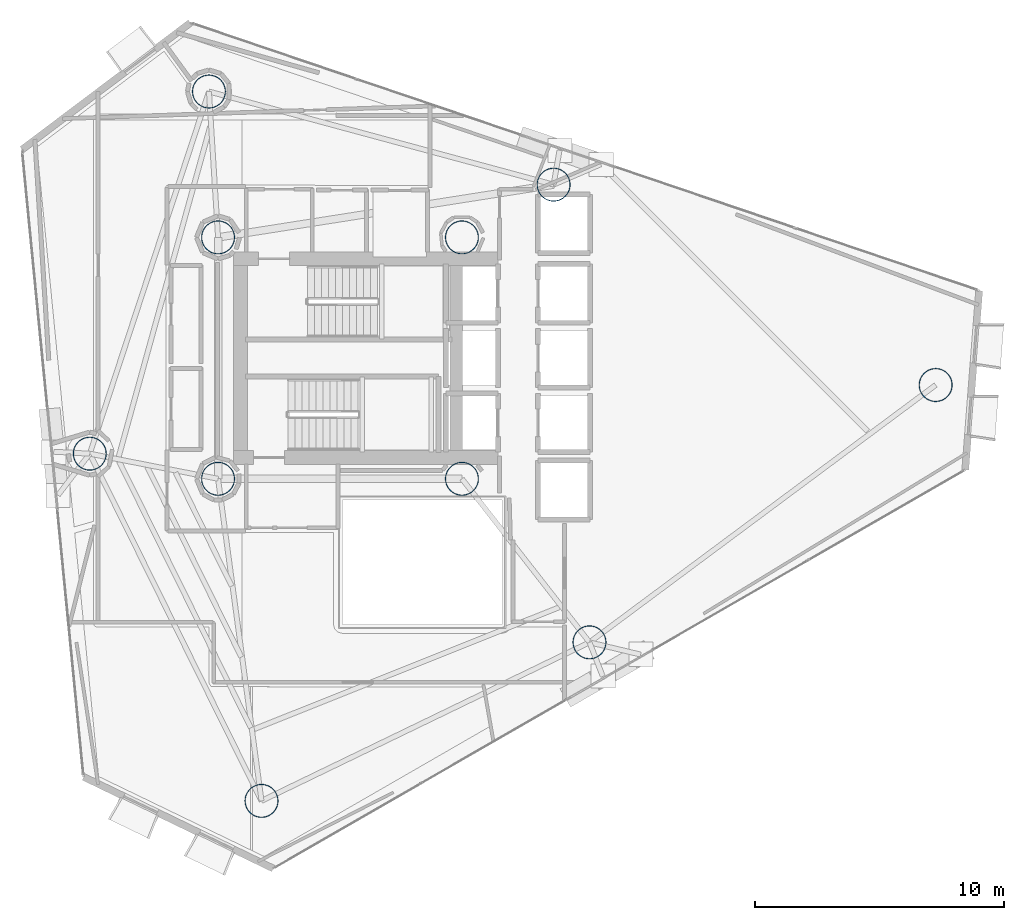
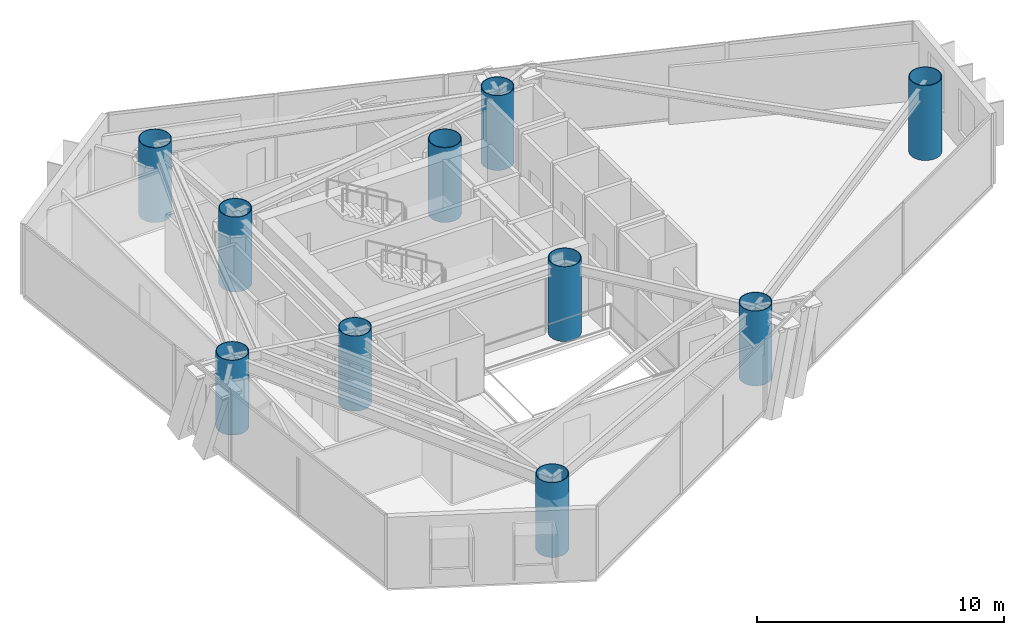
# One storey, part 1 of 22: 10 columns.
"""IFC4 building model written with IfcOpenShell, lengths in metres."""

from ifc_helpers import new_model, si_unit, direction, frame, origin, origin_2d, place, context, subcontext, project, spatial, hollow_circle, extrude, material, material_profile, profile_set, type_object, element, save


model = new_model("IFC4")

# Units and contexts
model_context = context("Model", 3, precision=1e-05, world=origin(), true_north=direction((0.0, 1.0)))
body_context = subcontext(model_context, "Body", "Model", "MODEL_VIEW")
ifc_project = project(units=[si_unit("LENGTHUNIT", "METRE"), si_unit("AREAUNIT", "SQUARE_METRE"), si_unit("VOLUMEUNIT", "CUBIC_METRE"), si_unit("PLANEANGLEUNIT", "RADIAN"), si_unit("MASSUNIT", "GRAM", prefix="KILO")], contexts=[model_context])

# Site, building, storey
site_placement = place(None, origin())
site = spatial("IfcSite", under=ifc_project, at=site_placement, CompositionType="ELEMENT")
building_placement = place(site_placement, origin())
building = spatial("IfcBuilding", under=site, at=building_placement, Name="Qianvela Tower", CompositionType="ELEMENT")
storey_placement = place(building_placement, frame((0.0, 0.0, 169.800048828125)))
storey = spatial("IfcBuildingStorey", under=building, at=storey_placement, Name="L43", CompositionType="ELEMENT", Elevation=169.800048828125)

# Columns
ifc_material = material(Name="Steel Q420GJC", Category="steel")
ifc_material_profile = material_profile(ifc_material, hollow_circle(Radius=0.675048828125, WallThickness=0.031982421875, at=origin_2d()), Name="CFT-1350x32")
ifc_profile_set = profile_set([ifc_material_profile], Name="Steel Q420GJC")
column_type = type_object("IfcColumnType", Name="COL-CFT-1350x32", PredefinedType="COLUMN", material=ifc_profile_set)
for number, where, z_axis, x_axis, name in (
    (1, (28.60009765625, 33.550048828125, 0.0), (0.0, 0.0, 1.0), (1.0, 0.0, 0.0), "L43 Core Corner Mega-Column CC-NW"),
    (2, (28.60009765625, 23.85009765625, 0.0), (0.0, 0.0, 1.0), (1.0, 0.0, 0.0), "L43 Core Corner Mega-Column CC-SW"),
    (3, (38.39990234375, 33.550048828125, 0.0), (0.0, 0.0, 1.0), (1.0, 0.0, 0.0), "L43 Core Corner Mega-Column CC-NE"),
    (4, (38.39990234375, 23.85009765625, 0.0), (0.0, 0.0, 1.0), (1.0, 0.0, 0.0), "L43 Core Corner Mega-Column CC-SE"),
    (5, (57.43408203125, 27.617919921875, 0.0), (0.0, 0.0, 1.0), (1.0, 0.0, 0.0), "L43 Zone Z4 CFT Mega-Column C1"),
    (6, (42.0830078125, 35.6689453125, 0.0), (0.0, 0.0, 1.0), (1.0, 0.0, 0.0), "L43 Zone Z4 CFT Mega-Column C2"),
    (7, (28.235107421875, 39.410888671875, 0.0), (0.0, 0.0, 1.0), (1.0, 0.0, 0.0), "L43 Zone Z4 CFT Mega-Column C3"),
    (8, (23.446044921875, 24.85888671875, 0.0), (0.0, 0.0, 1.0), (1.0, 0.0, 0.0), "L43 Zone Z4 CFT Mega-Column C4"),
    (9, (30.346923828125, 10.908935546875, 0.0), (0.0, 0.0, 1.0), (1.0, 0.0, 0.0), "L43 Zone Z4 CFT Mega-Column C5"),
    (10, (43.52490234375, 17.279052734375, 0.0), (0.0, 0.0, 1.0), (1.0, 0.0, 0.0), "L43 Zone Z4 CFT Mega-Column C6"),
):
    element("IfcColumn", number, at=place(storey_placement, frame(where, z_axis=z_axis, x_axis=x_axis)), inside=storey, type_object=column_type, Name=name, PredefinedType="COLUMN", context=body_context, shape_type="SweptSolid", body=[
        extrude(hollow_circle(Radius=0.675048828125, WallThickness=0.031982421875, at=origin_2d()), origin(), (0.0, 0.0, 1.0), 3.699951171875),
    ])

save(model, "model.ifc")
